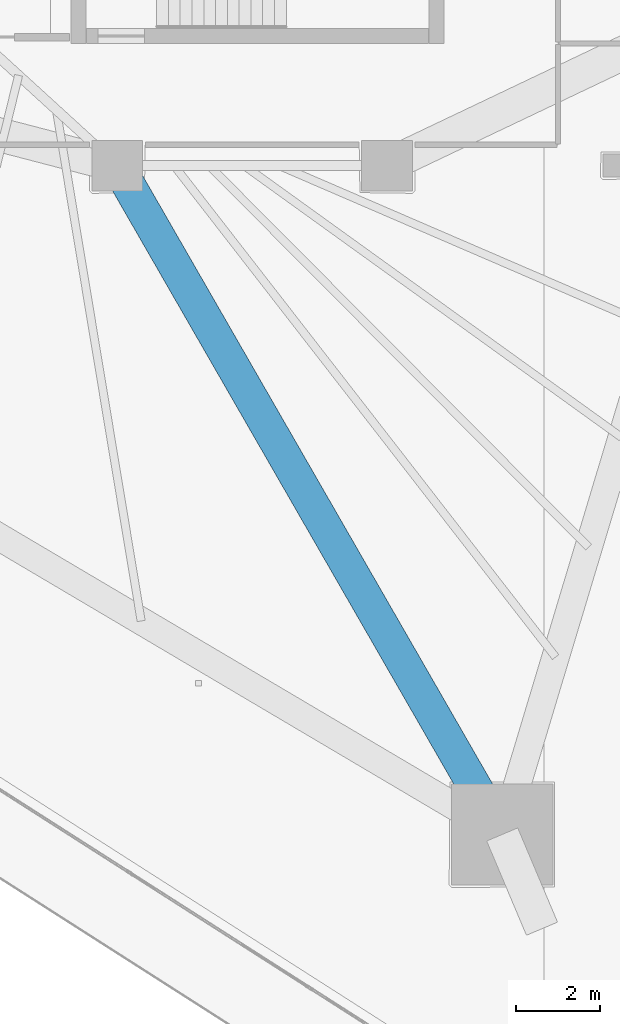
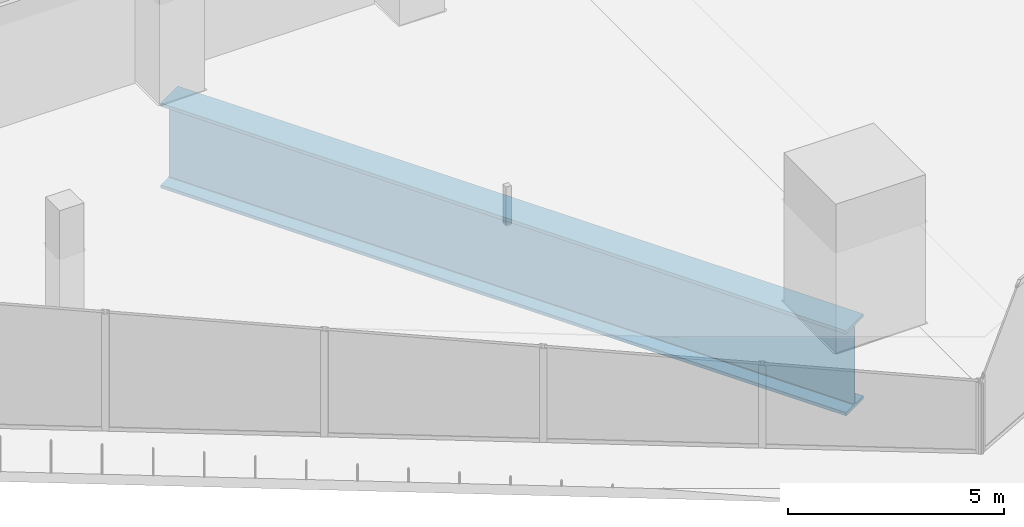
# One storey, part 9 of 42: 1 beam.
"""IFC4 building model written with IfcOpenShell, lengths in metres."""

import ifcopenshell
import ifcopenshell.guid

model = None  # the IFC model being written
_history = None  # IfcOwnerHistory: only IFC2X3 demands one
_inside = {}  # id of a spatial element -> (the spatial element, [elements in it])
_under = {}  # id of a project, library or spatial element -> (it, [spatial elements below it])
_declared = {}  # id of a project -> (the project, [libraries it declares])
_typed = {}  # id of a type object -> (the type object, [elements of that type])
_made_of = {}  # id of a material, layer set ... -> (it, [elements and type objects made of it])


def new_model(schema):
    """Start an empty IFC model of exactly this schema.

    Asked for "IFC4X3", IfcOpenShell would pick the latest addendum, in which some entities
    have other attributes; the version numbers below select the first issue.
    IFC2X3 requires an IfcOwnerHistory on every rooted entity: one is made here for all.
    """
    global model, _history
    if schema == "IFC4X3":
        model = ifcopenshell.file(schema_version=(4, 3, 0, 0))
    else:
        model = ifcopenshell.file(schema=schema)
    _inside.clear()
    _under.clear()
    _declared.clear()
    _typed.clear()
    _made_of.clear()
    _history = None
    if model.schema == "IFC2X3":
        org = make("IfcOrganization", Name="unknown")
        user = make(
            "IfcPersonAndOrganization",
            ThePerson=make("IfcPerson", FamilyName="unknown"),
            TheOrganization=org,
        )
        app = make(
            "IfcApplication",
            ApplicationDeveloper=org,
            Version="unknown",
            ApplicationFullName="unknown",
            ApplicationIdentifier="unknown",
        )
        _history = make(
            "IfcOwnerHistory",
            OwningUser=user,
            OwningApplication=app,
            ChangeAction="ADDED",
            CreationDate=0,
        )
    return model


def make(cls, **values):
    """One entity of the class cls with the attributes given. An attribute that is None is left unset."""
    return model.create_entity(
        cls, **{name: value for name, value in values.items() if value is not None}
    )


def rooted(cls, **values):
    """An entity with a GlobalId (a new one), such as an element, a storey or a relation."""
    return make(cls, GlobalId=ifcopenshell.guid.new(), OwnerHistory=_history, **values)


def si_unit(unit_type, name, prefix=None):
    """IfcSIUnit, for example si_unit("LENGTHUNIT", "METRE", prefix="MILLI")."""
    return make("IfcSIUnit", UnitType=unit_type, Prefix=prefix, Name=name)


def assignment(units):
    """IfcUnitAssignment: the units of a project."""
    return None if units is None else make("IfcUnitAssignment", Units=units)


def point(xyz):
    """IfcCartesianPoint."""
    return None if xyz is None else make("IfcCartesianPoint", Coordinates=xyz)


def direction(xyz):
    """IfcDirection."""
    return None if xyz is None else make("IfcDirection", DirectionRatios=xyz)


def frame(location, z_axis=None, x_axis=None):
    """IfcAxis2Placement3D, a coordinate frame: its origin and axes. An axis left out is left unset."""
    return make(
        "IfcAxis2Placement3D",
        Location=point(location),
        Axis=direction(z_axis),
        RefDirection=direction(x_axis),
    )


def frame_2d(location, x_axis=None):
    """IfcAxis2Placement2D, a coordinate frame in the plane: its origin and x axis."""
    return make(
        "IfcAxis2Placement2D", Location=point(location), RefDirection=direction(x_axis)
    )


def origin():
    """The frame at (0, 0, 0) with its axes left unset."""
    return frame((0.0, 0.0, 0.0))


def origin_2d():
    """The frame at (0, 0) in the plane with its x axis left unset."""
    return frame_2d((0.0, 0.0))


def place(relative_to, where):
    """IfcLocalPlacement: puts the frame where relative to a parent placement (None: the world)."""
    return make(
        "IfcLocalPlacement", PlacementRelTo=relative_to, RelativePlacement=where
    )


def context(
    kind, dimensions, precision=None, world=None, true_north=None, identifier=None
):
    """IfcGeometricRepresentationContext, for example the 3D "Model" context."""
    return make(
        "IfcGeometricRepresentationContext",
        ContextIdentifier=identifier,
        ContextType=kind,
        CoordinateSpaceDimension=dimensions,
        Precision=precision,
        WorldCoordinateSystem=world,
        TrueNorth=true_north,
    )


def subcontext(parent, identifier, kind, view, scale=None):
    """IfcGeometricRepresentationSubContext, for example "Body" below "Model"."""
    return make(
        "IfcGeometricRepresentationSubContext",
        ContextIdentifier=identifier,
        ContextType=kind,
        ParentContext=parent,
        TargetScale=scale,
        TargetView=view,
    )


def project(units=None, contexts=None):
    """IfcProject with its units and contexts."""
    return rooted(
        "IfcProject",
        Name="project",
        RepresentationContexts=contexts,
        UnitsInContext=assignment(units),
    )


def spatial(cls, under=None, at=None, **own):
    """A site, building, storey or space (cls), placed at a placement, below another one or the project."""
    s = rooted(cls, ObjectPlacement=at, **own)
    if under is not None:
        _under.setdefault(under.id(), (under, []))[1].append(s)
    return s


def profile(cls, at=None, kind="AREA", **sizes):
    """A parametric profile (cls). Its sizes go by their IFC names, for example OverallWidth=200.0."""
    return make(cls, ProfileType=kind, Position=at, **sizes)


def i_section(**sizes):
    """IfcIShapeProfileDef."""
    return profile("IfcIShapeProfileDef", **sizes)


def extrude(swept, where, along, depth):
    """IfcExtrudedAreaSolid: the profile swept, set in the frame where, extruded along a direction by depth."""
    return make(
        "IfcExtrudedAreaSolid",
        SweptArea=swept,
        Position=where,
        ExtrudedDirection=direction(along),
        Depth=depth,
    )


def shape(context_of_items, identifier, shape_type, items):
    """IfcShapeRepresentation: the items that make up one representation, for example the "Body"."""
    return make(
        "IfcShapeRepresentation",
        ContextOfItems=context_of_items,
        RepresentationIdentifier=identifier,
        RepresentationType=shape_type,
        Items=items,
    )


def material(Name=None, Category=None):
    """IfcMaterial."""
    return make("IfcMaterial", Name=Name, Category=Category)


def material_profile(
    of_material, cross_section, Name=None, Category=None, Priority=None
):
    """IfcMaterialProfile: a cross section and its material."""
    return make(
        "IfcMaterialProfile",
        Name=Name,
        Material=of_material,
        Profile=cross_section,
        Priority=Priority,
        Category=Category,
    )


def profile_set(profiles, Name=None, composite=None):
    """IfcMaterialProfileSet."""
    return make(
        "IfcMaterialProfileSet",
        Name=Name,
        MaterialProfiles=profiles,
        CompositeProfile=composite,
    )


def made_of(thing, what):
    """Note that an element or type object is made of a material, layer set ...; save() writes the relation."""
    if what is not None:
        _made_of.setdefault(what.id(), (what, []))[1].append(thing)
    return thing


def type_object(cls, material=None, **own):
    """A type object (cls), such as IfcWallType, which elements share."""
    return made_of(rooted(cls, **own), material)


def element(
    cls,
    number,
    at=None,
    inside=None,
    cuts=None,
    type_object=None,
    material=None,
    context=None,
    identifier="Body",
    shape_type=None,
    held_by="IfcProductDefinitionShape",
    body=None,
    shapes=None,
    **own,
):
    """One element of the class cls, such as IfcWall. Its Tag is "e" and its number.

    at: its placement. inside: the storey or other place that contains it. cuts: it is an
    opening in that element (IfcRelVoidsElement). A single representation is given by context,
    identifier, shape_type and body (its items); several are given by shapes. held_by: the class
    of the entity that holds the representations. save() writes the other relations.
    """
    e = rooted(cls, Tag="e%d" % number, ObjectPlacement=at, **own)
    if body is not None:
        shapes = [shape(context, identifier, shape_type, body)]
    if shapes is not None:
        e.Representation = make(held_by, Representations=shapes)
    if inside is not None:
        _inside.setdefault(inside.id(), (inside, []))[1].append(e)
    if cuts is not None:
        rooted(
            "IfcRelVoidsElement", RelatingBuildingElement=cuts, RelatedOpeningElement=e
        )
    if type_object is not None:
        _typed.setdefault(type_object.id(), (type_object, []))[1].append(e)
    return made_of(e, material)


def aggregate(whole, parts):
    """IfcRelAggregates: a whole, such as a stair, and the parts it consists of."""
    return rooted("IfcRelAggregates", RelatingObject=whole, RelatedObjects=parts)


def save(model, path):
    """Write the relations noted so far, then the file.

    IfcRelAggregates (storeys below a building ...), IfcRelContainedInSpatialStructure (elements
    in a storey), IfcRelDefinesByType, IfcRelAssociatesMaterial and IfcRelDeclares: one each for
    every whole, place, type object, material and project.
    """
    for whole, parts in _under.values():
        aggregate(whole, parts)
    for where, things in _inside.values():
        rooted(
            "IfcRelContainedInSpatialStructure",
            RelatedElements=things,
            RelatingStructure=where,
        )
    for kind, things in _typed.values():
        rooted("IfcRelDefinesByType", RelatedObjects=things, RelatingType=kind)
    for what, things in _made_of.values():
        rooted("IfcRelAssociatesMaterial", RelatedObjects=things, RelatingMaterial=what)
    for by, libraries in _declared.values():
        rooted("IfcRelDeclares", RelatingContext=by, RelatedDefinitions=libraries)
    model.write(path)


model = new_model("IFC4")

# Units and contexts
model_context = context("Model", 3, precision=1e-05, world=origin(), true_north=direction((0.0, 1.0)))
body_context = subcontext(model_context, "Body", "Model", "MODEL_VIEW")
ifc_project = project(units=[si_unit("LENGTHUNIT", "METRE"), si_unit("AREAUNIT", "SQUARE_METRE"), si_unit("VOLUMEUNIT", "CUBIC_METRE"), si_unit("PLANEANGLEUNIT", "RADIAN"), si_unit("MASSUNIT", "GRAM", prefix="KILO")], contexts=[model_context])

# Site, building, storey
site_placement = place(None, origin())
site = spatial("IfcSite", under=ifc_project, at=site_placement, CompositionType="ELEMENT")
building_placement = place(site_placement, origin())
building = spatial("IfcBuilding", under=site, at=building_placement, Name="Qorvath Tower", CompositionType="ELEMENT")
storey_placement = place(building_placement, frame((0.0, 0.0, 32.39990234375)))
storey = spatial("IfcBuildingStorey", under=building, at=storey_placement, Name="L06", CompositionType="ELEMENT", Elevation=32.39990234375)

# Beam
ifc_material = material(Name="Steel ASTM A572 Grade 50", Category="steel")
ifc_material_profile = material_profile(ifc_material, i_section(OverallWidth=0.800048828125, OverallDepth=2.39990234375, WebThickness=0.044921875, FlangeThickness=0.090087890625, FilletRadius=0.02490234375, at=origin_2d()), Name="WTG 2400x800")
ifc_profile_set = profile_set([ifc_material_profile], Name="Steel ASTM A572 Grade 50")
beam_type = type_object("IfcBeamType", Name="BM-TG2", PredefinedType="BEAM", material=ifc_profile_set)
beam_placement = place(storey_placement, frame((-14.46435546875, -27.330810546875, -1.479736328125), z_axis=(-0.498645367714, 0.866806089767, 0.0), x_axis=(-0.866806089767, -0.498645367714, 0.0)))
element("IfcBeam", 1, at=beam_placement, inside=storey, type_object=beam_type, Name="Zone Step Transfer Girder CC4-MC3 L06", PredefinedType="BEAM", context=body_context, shape_type="SweptSolid", body=[
    extrude(i_section(OverallWidth=0.800048828125, OverallDepth=2.39990234375, WebThickness=0.044921875, FlangeThickness=0.090087890625, FilletRadius=0.02490234375, at=origin_2d()), origin(), (0.0, 0.0, 1.0), 18.321044921875),
])

save(model, "model.ifc")
